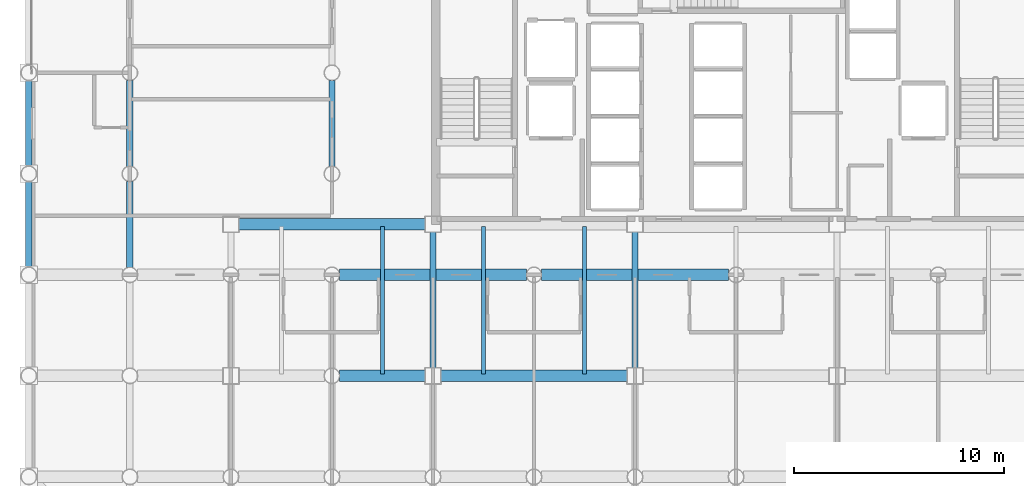
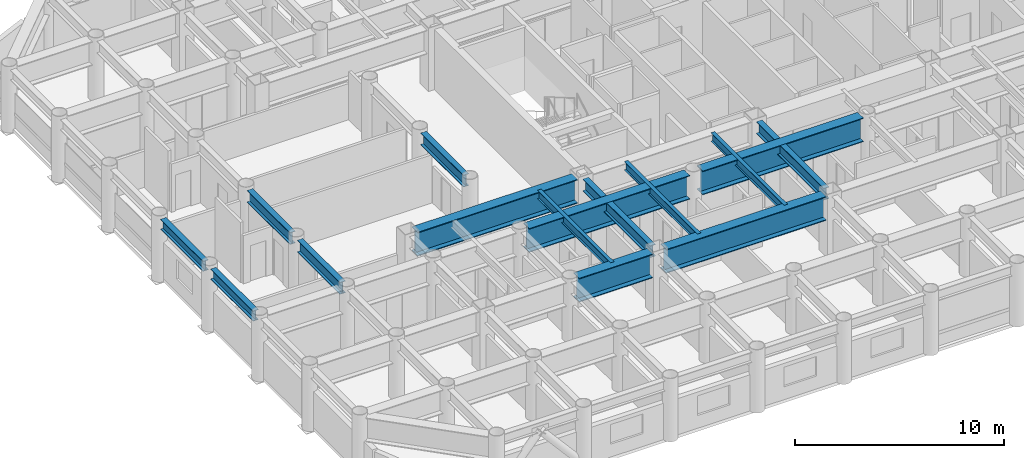
# One storey, part 3 of 24: 15 beams.
"""IFC4 building model written with IfcOpenShell, lengths in metres."""

import ifcopenshell
import ifcopenshell.guid

model = None  # the IFC model being written
_history = None  # IfcOwnerHistory: only IFC2X3 demands one
_inside = {}  # id of a spatial element -> (the spatial element, [elements in it])
_under = {}  # id of a project, library or spatial element -> (it, [spatial elements below it])
_declared = {}  # id of a project -> (the project, [libraries it declares])
_typed = {}  # id of a type object -> (the type object, [elements of that type])
_made_of = {}  # id of a material, layer set ... -> (it, [elements and type objects made of it])


def new_model(schema):
    """Start an empty IFC model of exactly this schema.

    Asked for "IFC4X3", IfcOpenShell would pick the latest addendum, in which some entities
    have other attributes; the version numbers below select the first issue.
    IFC2X3 requires an IfcOwnerHistory on every rooted entity: one is made here for all.
    """
    global model, _history
    if schema == "IFC4X3":
        model = ifcopenshell.file(schema_version=(4, 3, 0, 0))
    else:
        model = ifcopenshell.file(schema=schema)
    _inside.clear()
    _under.clear()
    _declared.clear()
    _typed.clear()
    _made_of.clear()
    _history = None
    if model.schema == "IFC2X3":
        org = make("IfcOrganization", Name="unknown")
        user = make(
            "IfcPersonAndOrganization",
            ThePerson=make("IfcPerson", FamilyName="unknown"),
            TheOrganization=org,
        )
        app = make(
            "IfcApplication",
            ApplicationDeveloper=org,
            Version="unknown",
            ApplicationFullName="unknown",
            ApplicationIdentifier="unknown",
        )
        _history = make(
            "IfcOwnerHistory",
            OwningUser=user,
            OwningApplication=app,
            ChangeAction="ADDED",
            CreationDate=0,
        )
    return model


def make(cls, **values):
    """One entity of the class cls with the attributes given. An attribute that is None is left unset."""
    return model.create_entity(
        cls, **{name: value for name, value in values.items() if value is not None}
    )


def rooted(cls, **values):
    """An entity with a GlobalId (a new one), such as an element, a storey or a relation."""
    return make(cls, GlobalId=ifcopenshell.guid.new(), OwnerHistory=_history, **values)


def si_unit(unit_type, name, prefix=None):
    """IfcSIUnit, for example si_unit("LENGTHUNIT", "METRE", prefix="MILLI")."""
    return make("IfcSIUnit", UnitType=unit_type, Prefix=prefix, Name=name)


def assignment(units):
    """IfcUnitAssignment: the units of a project."""
    return None if units is None else make("IfcUnitAssignment", Units=units)


def point(xyz):
    """IfcCartesianPoint."""
    return None if xyz is None else make("IfcCartesianPoint", Coordinates=xyz)


def direction(xyz):
    """IfcDirection."""
    return None if xyz is None else make("IfcDirection", DirectionRatios=xyz)


def frame(location, z_axis=None, x_axis=None):
    """IfcAxis2Placement3D, a coordinate frame: its origin and axes. An axis left out is left unset."""
    return make(
        "IfcAxis2Placement3D",
        Location=point(location),
        Axis=direction(z_axis),
        RefDirection=direction(x_axis),
    )


def frame_2d(location, x_axis=None):
    """IfcAxis2Placement2D, a coordinate frame in the plane: its origin and x axis."""
    return make(
        "IfcAxis2Placement2D", Location=point(location), RefDirection=direction(x_axis)
    )


def origin():
    """The frame at (0, 0, 0) with its axes left unset."""
    return frame((0.0, 0.0, 0.0))


def origin_2d():
    """The frame at (0, 0) in the plane with its x axis left unset."""
    return frame_2d((0.0, 0.0))


def place(relative_to, where):
    """IfcLocalPlacement: puts the frame where relative to a parent placement (None: the world)."""
    return make(
        "IfcLocalPlacement", PlacementRelTo=relative_to, RelativePlacement=where
    )


def context(
    kind, dimensions, precision=None, world=None, true_north=None, identifier=None
):
    """IfcGeometricRepresentationContext, for example the 3D "Model" context."""
    return make(
        "IfcGeometricRepresentationContext",
        ContextIdentifier=identifier,
        ContextType=kind,
        CoordinateSpaceDimension=dimensions,
        Precision=precision,
        WorldCoordinateSystem=world,
        TrueNorth=true_north,
    )


def subcontext(parent, identifier, kind, view, scale=None):
    """IfcGeometricRepresentationSubContext, for example "Body" below "Model"."""
    return make(
        "IfcGeometricRepresentationSubContext",
        ContextIdentifier=identifier,
        ContextType=kind,
        ParentContext=parent,
        TargetScale=scale,
        TargetView=view,
    )


def project(units=None, contexts=None):
    """IfcProject with its units and contexts."""
    return rooted(
        "IfcProject",
        Name="project",
        RepresentationContexts=contexts,
        UnitsInContext=assignment(units),
    )


def spatial(cls, under=None, at=None, **own):
    """A site, building, storey or space (cls), placed at a placement, below another one or the project."""
    s = rooted(cls, ObjectPlacement=at, **own)
    if under is not None:
        _under.setdefault(under.id(), (under, []))[1].append(s)
    return s


def profile(cls, at=None, kind="AREA", **sizes):
    """A parametric profile (cls). Its sizes go by their IFC names, for example OverallWidth=200.0."""
    return make(cls, ProfileType=kind, Position=at, **sizes)


def i_section(**sizes):
    """IfcIShapeProfileDef."""
    return profile("IfcIShapeProfileDef", **sizes)


def extrude(swept, where, along, depth):
    """IfcExtrudedAreaSolid: the profile swept, set in the frame where, extruded along a direction by depth."""
    return make(
        "IfcExtrudedAreaSolid",
        SweptArea=swept,
        Position=where,
        ExtrudedDirection=direction(along),
        Depth=depth,
    )


def shape(context_of_items, identifier, shape_type, items):
    """IfcShapeRepresentation: the items that make up one representation, for example the "Body"."""
    return make(
        "IfcShapeRepresentation",
        ContextOfItems=context_of_items,
        RepresentationIdentifier=identifier,
        RepresentationType=shape_type,
        Items=items,
    )


def material(Name=None, Category=None):
    """IfcMaterial."""
    return make("IfcMaterial", Name=Name, Category=Category)


def material_profile(
    of_material, cross_section, Name=None, Category=None, Priority=None
):
    """IfcMaterialProfile: a cross section and its material."""
    return make(
        "IfcMaterialProfile",
        Name=Name,
        Material=of_material,
        Profile=cross_section,
        Priority=Priority,
        Category=Category,
    )


def profile_set(profiles, Name=None, composite=None):
    """IfcMaterialProfileSet."""
    return make(
        "IfcMaterialProfileSet",
        Name=Name,
        MaterialProfiles=profiles,
        CompositeProfile=composite,
    )


def made_of(thing, what):
    """Note that an element or type object is made of a material, layer set ...; save() writes the relation."""
    if what is not None:
        _made_of.setdefault(what.id(), (what, []))[1].append(thing)
    return thing


def type_object(cls, material=None, **own):
    """A type object (cls), such as IfcWallType, which elements share."""
    return made_of(rooted(cls, **own), material)


def element(
    cls,
    number,
    at=None,
    inside=None,
    cuts=None,
    type_object=None,
    material=None,
    context=None,
    identifier="Body",
    shape_type=None,
    held_by="IfcProductDefinitionShape",
    body=None,
    shapes=None,
    **own,
):
    """One element of the class cls, such as IfcWall. Its Tag is "e" and its number.

    at: its placement. inside: the storey or other place that contains it. cuts: it is an
    opening in that element (IfcRelVoidsElement). A single representation is given by context,
    identifier, shape_type and body (its items); several are given by shapes. held_by: the class
    of the entity that holds the representations. save() writes the other relations.
    """
    e = rooted(cls, Tag="e%d" % number, ObjectPlacement=at, **own)
    if body is not None:
        shapes = [shape(context, identifier, shape_type, body)]
    if shapes is not None:
        e.Representation = make(held_by, Representations=shapes)
    if inside is not None:
        _inside.setdefault(inside.id(), (inside, []))[1].append(e)
    if cuts is not None:
        rooted(
            "IfcRelVoidsElement", RelatingBuildingElement=cuts, RelatedOpeningElement=e
        )
    if type_object is not None:
        _typed.setdefault(type_object.id(), (type_object, []))[1].append(e)
    return made_of(e, material)


def aggregate(whole, parts):
    """IfcRelAggregates: a whole, such as a stair, and the parts it consists of."""
    return rooted("IfcRelAggregates", RelatingObject=whole, RelatedObjects=parts)


def save(model, path):
    """Write the relations noted so far, then the file.

    IfcRelAggregates (storeys below a building ...), IfcRelContainedInSpatialStructure (elements
    in a storey), IfcRelDefinesByType, IfcRelAssociatesMaterial and IfcRelDeclares: one each for
    every whole, place, type object, material and project.
    """
    for whole, parts in _under.values():
        aggregate(whole, parts)
    for where, things in _inside.values():
        rooted(
            "IfcRelContainedInSpatialStructure",
            RelatedElements=things,
            RelatingStructure=where,
        )
    for kind, things in _typed.values():
        rooted("IfcRelDefinesByType", RelatedObjects=things, RelatingType=kind)
    for what, things in _made_of.values():
        rooted("IfcRelAssociatesMaterial", RelatedObjects=things, RelatingMaterial=what)
    for by, libraries in _declared.values():
        rooted("IfcRelDeclares", RelatingContext=by, RelatedDefinitions=libraries)
    model.write(path)


model = new_model("IFC4")

# Units and contexts
model_context = context("Model", 3, precision=1e-05, world=origin(), true_north=direction((0.0, 1.0)))
body_context = subcontext(model_context, "Body", "Model", "MODEL_VIEW")
ifc_project = project(units=[si_unit("LENGTHUNIT", "METRE"), si_unit("AREAUNIT", "SQUARE_METRE"), si_unit("VOLUMEUNIT", "CUBIC_METRE"), si_unit("PLANEANGLEUNIT", "RADIAN"), si_unit("MASSUNIT", "GRAM", prefix="KILO")], contexts=[model_context])

# Site, building, storey
site_placement = place(None, origin())
site = spatial("IfcSite", under=ifc_project, at=site_placement, CompositionType="ELEMENT")
building_placement = place(site_placement, origin())
building = spatial("IfcBuilding", under=site, at=building_placement, Name="Kallvorn Hotel Tower", CompositionType="ELEMENT")
storey_placement = place(building_placement, frame((0.0, 0.0, 30.0)))
storey = spatial("IfcBuildingStorey", under=building, at=storey_placement, Name="L05", CompositionType="ELEMENT", Elevation=30.0)

# Beams
ifc_material_1 = material(Name="Structural steel S355JR", Category="steel")
ifc_material_profile_1 = material_profile(ifc_material_1, i_section(OverallWidth=0.300048828125, OverallDepth=0.60009765625, WebThickness=0.015380859375, FlangeThickness=0.030029296875, at=origin_2d()), Name="HE 600 B")
ifc_profile_set_1 = profile_set([ifc_material_profile_1], Name="Structural steel S355JR")
beam_type_1 = type_object("IfcBeamType", Name="BM_HE600B", PredefinedType="SPANDREL", material=ifc_profile_set_1)
beam_1_placement = place(storey_placement, frame((-33.60009765625, -9.22900390625, 3.219970703125), z_axis=(0.0, 1.0, 0.0), x_axis=(-1.0, 0.0, 0.0)))
element("IfcBeam", 1, at=beam_1_placement, inside=storey, type_object=beam_type_1, Name="L06 Perimeter Spandrel 176", PredefinedType="SPANDREL", context=body_context, shape_type="SweptSolid", body=[
    extrude(i_section(OverallWidth=0.300048828125, OverallDepth=0.60009765625, WebThickness=0.015380859375, FlangeThickness=0.030029296875, at=origin_2d()), origin(), (0.0, 0.0, 1.0), 4.05810546875),
])
beam_2_placement = place(storey_placement, frame((-33.60009765625, -4.428955078125, 3.219970703125), z_axis=(0.0, 1.0, 0.0), x_axis=(-1.0, 0.0, 0.0)))
element("IfcBeam", 2, at=beam_2_placement, inside=storey, type_object=beam_type_1, Name="L06 Perimeter Spandrel 177", PredefinedType="SPANDREL", context=body_context, shape_type="SweptSolid", body=[
    extrude(i_section(OverallWidth=0.300048828125, OverallDepth=0.60009765625, WebThickness=0.015380859375, FlangeThickness=0.030029296875, at=origin_2d()), origin(), (0.0, 0.0, 1.0), 4.057861328125),
])
ifc_material_2 = material(Name="Structural steel S355JR", Category="steel")
ifc_material_profile_2 = material_profile(ifc_material_2, i_section(OverallWidth=0.300048828125, OverallDepth=0.699951171875, WebThickness=0.01708984375, FlangeThickness=0.031982421875, at=origin_2d()), Name="HE 700 B")
ifc_profile_set_2 = profile_set([ifc_material_profile_2], Name="Structural steel S355JR")
beam_type_2 = type_object("IfcBeamType", Name="BM_HE700B", PredefinedType="BEAM", material=ifc_profile_set_2)
beam_3_placement = place(storey_placement, frame((-28.800048828125, -9.243896484375, 3.169921875), z_axis=(0.0, 1.0, 0.0), x_axis=(-1.0, 0.0, 0.0)))
element("IfcBeam", 3, at=beam_3_placement, inside=storey, type_object=beam_type_2, Name="L06 Primary Y-Girder 76", PredefinedType="BEAM", context=body_context, shape_type="SweptSolid", body=[
    extrude(i_section(OverallWidth=0.300048828125, OverallDepth=0.699951171875, WebThickness=0.01708984375, FlangeThickness=0.031982421875, at=origin_2d()), origin(), (0.0, 0.0, 1.0), 4.087890625),
])
for number, where, z_axis, x_axis, name in (
    (4, (-28.800048828125, -4.444091796875, 3.169921875), (0.0, 1.0, 0.0), (-1.0, 0.0, 0.0), "L06 Primary Y-Girder 77"),
    (5, (-19.199951171875, -4.444091796875, 3.169921875), (0.0, 1.0, 0.0), (-1.0, 0.0, 0.0), "L06 Primary Y-Girder 93"),
):
    element("IfcBeam", number, at=place(storey_placement, frame(where, z_axis=z_axis, x_axis=x_axis)), inside=storey, type_object=beam_type_2, Name=name, PredefinedType="BEAM", context=body_context, shape_type="SweptSolid", body=[
        extrude(i_section(OverallWidth=0.300048828125, OverallDepth=0.699951171875, WebThickness=0.01708984375, FlangeThickness=0.031982421875, at=origin_2d()), origin(), (0.0, 0.0, 1.0), 4.088134765625),
    ])
for number, where, z_axis, x_axis, name in (
    (6, (-14.39990234375, -14.02490234375, 3.169921875), (0.0, 1.0, 0.0), (-1.0, 0.0, 0.0), "L06 Primary Y-Girder 100"),
    (7, (-4.800048828125, -14.02490234375, 3.169921875), (0.0, 1.0, 0.0), (-1.0, 0.0, 0.0), "L06 Primary Y-Girder 108"),
):
    element("IfcBeam", number, at=place(storey_placement, frame(where, z_axis=z_axis, x_axis=x_axis)), inside=storey, type_object=beam_type_2, Name=name, PredefinedType="BEAM", context=body_context, shape_type="SweptSolid", body=[
        extrude(i_section(OverallWidth=0.300048828125, OverallDepth=0.699951171875, WebThickness=0.01708984375, FlangeThickness=0.031982421875, at=origin_2d()), origin(), (0.0, 0.0, 1.0), 6.449951171875),
    ])
ifc_material_3 = material(Name="Structural steel S355JR", Category="steel")
ifc_material_profile_3 = material_profile(ifc_material_3, i_section(OverallWidth=0.199951171875, OverallDepth=0.5, WebThickness=0.01025390625, FlangeThickness=0.01611328125, at=origin_2d()), Name="IPE 500")
ifc_profile_set_3 = profile_set([ifc_material_profile_3], Name="Structural steel S355JR")
beam_type_3 = type_object("IfcBeamType", Name="BM_IPE500", PredefinedType="JOIST", material=ifc_profile_set_3)
for number, where, z_axis, x_axis, name in (
    (8, (-16.800048828125, -14.300048828125, 3.27001953125), (0.0, 1.0, 0.0), (-1.0, 0.0, 0.0), "L06 Secondary Composite Joist 194"),
    (9, (-12.0, -14.300048828125, 3.27001953125), (0.0, 1.0, 0.0), (-1.0, 0.0, 0.0), "L06 Secondary Composite Joist 196"),
    (10, (-7.199951171875, -14.300048828125, 3.27001953125), (0.0, 1.0, 0.0), (-1.0, 0.0, 0.0), "L06 Secondary Composite Joist 198"),
):
    element("IfcBeam", number, at=place(storey_placement, frame(where, z_axis=z_axis, x_axis=x_axis)), inside=storey, type_object=beam_type_3, Name=name, PredefinedType="JOIST", context=body_context, shape_type="SweptSolid", body=[
        extrude(i_section(OverallWidth=0.199951171875, OverallDepth=0.5, WebThickness=0.01025390625, FlangeThickness=0.01611328125, at=origin_2d()), origin(), (0.0, 0.0, 1.0), 7.0),
    ])
ifc_material_4 = material(Name="Structural steel S355JR", Category="steel")
ifc_material_profile_4 = material_profile(ifc_material_4, i_section(OverallWidth=0.550048828125, OverallDepth=1.39990234375, WebThickness=0.02490234375, FlangeThickness=0.044921875, at=origin_2d()), Name="PG 1400x550x25x45")
ifc_profile_set_4 = profile_set([ifc_material_profile_4], Name="Structural steel S355JR")
beam_type_4 = type_object("IfcBeamType", Name="BM_PG_1400", PredefinedType="BEAM", material=ifc_profile_set_4)
beam_4_placement = place(storey_placement, frame((-18.843994140625, -14.39990234375, 2.820068359375), z_axis=(1.0, 0.0, 0.0), x_axis=(0.0, 1.0, 0.0)))
element("IfcBeam", 11, at=beam_4_placement, inside=storey, type_object=beam_type_4, Name="L06 Primary X-Girder 17", PredefinedType="BEAM", context=body_context, shape_type="SweptSolid", body=[
    extrude(i_section(OverallWidth=0.550048828125, OverallDepth=1.39990234375, WebThickness=0.02490234375, FlangeThickness=0.044921875, at=origin_2d()), origin(), (0.0, 0.0, 1.0), 4.069091796875),
])
beam_5_placement = place(storey_placement, frame((-14.02490234375, -14.39990234375, 2.820068359375), z_axis=(1.0, 0.0, 0.0), x_axis=(0.0, 1.0, 0.0)))
element("IfcBeam", 12, at=beam_5_placement, inside=storey, type_object=beam_type_4, Name="L06 Primary X-Girder 18", PredefinedType="BEAM", context=body_context, shape_type="SweptSolid", body=[
    extrude(i_section(OverallWidth=0.550048828125, OverallDepth=1.39990234375, WebThickness=0.02490234375, FlangeThickness=0.044921875, at=origin_2d()), origin(), (0.0, 0.0, 1.0), 8.849853515625),
])
for number, where, z_axis, x_axis, name in (
    (13, (-18.843994140625, -9.60009765625, 2.820068359375), (1.0, 0.0, 0.0), (0.0, 1.0, 0.0), "L06 Primary X-Girder 27"),
    (14, (-9.243896484375, -9.60009765625, 2.820068359375), (1.0, 0.0, 0.0), (0.0, 1.0, 0.0), "L06 Primary X-Girder 28"),
):
    element("IfcBeam", number, at=place(storey_placement, frame(where, z_axis=z_axis, x_axis=x_axis)), inside=storey, type_object=beam_type_4, Name=name, PredefinedType="BEAM", context=body_context, shape_type="SweptSolid", body=[
        extrude(i_section(OverallWidth=0.550048828125, OverallDepth=1.39990234375, WebThickness=0.02490234375, FlangeThickness=0.044921875, at=origin_2d()), origin(), (0.0, 0.0, 1.0), 8.887939453125),
    ])
beam_6_placement = place(storey_placement, frame((-23.625, -7.199951171875, 2.820068359375), z_axis=(1.0, 0.0, 0.0), x_axis=(0.0, 1.0, 0.0)))
element("IfcBeam", 15, at=beam_6_placement, inside=storey, type_object=beam_type_4, Name="L06 Primary X-Girder 33", PredefinedType="BEAM", context=body_context, shape_type="SweptSolid", body=[
    extrude(i_section(OverallWidth=0.550048828125, OverallDepth=1.39990234375, WebThickness=0.02490234375, FlangeThickness=0.044921875, at=origin_2d()), origin(), (0.0, 0.0, 1.0), 8.85009765625),
])

save(model, "model.ifc")
